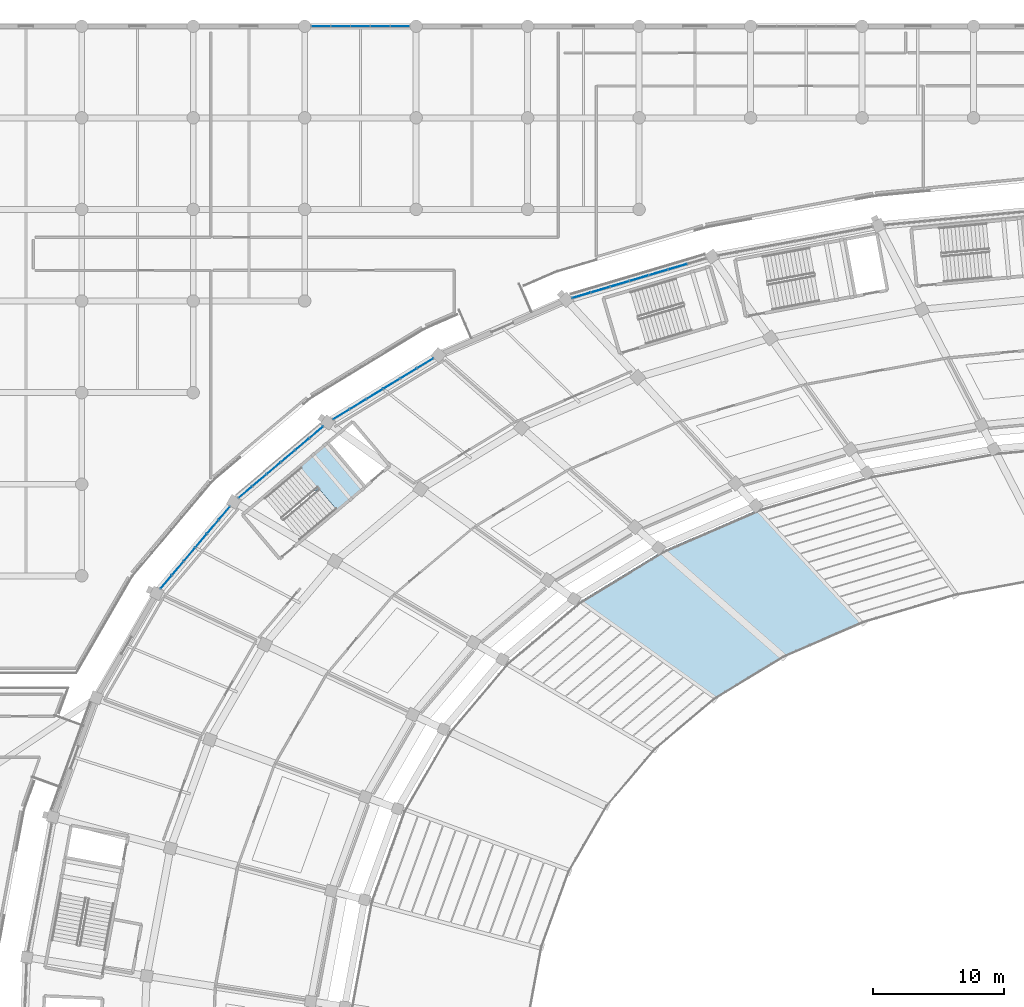
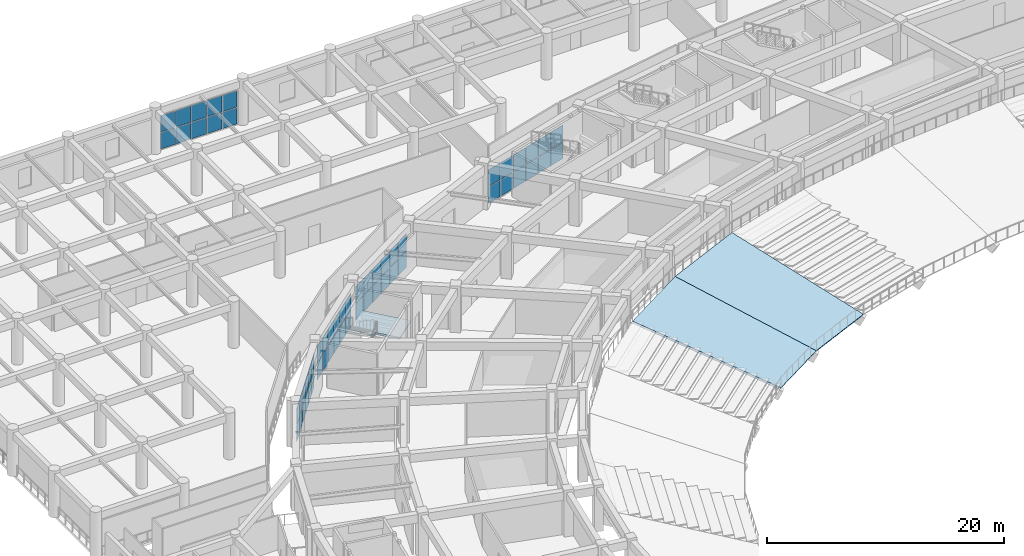
# One storey, part 88 of 152: 58 plates, 3 slabs, 6 elements without a shape of their own.
"""IFC4 building model written with IfcOpenShell, lengths in metres."""

from ifc_helpers import new_model, si_unit, direction, frame, origin, origin_2d, place, context, subcontext, project, spatial, polyline, rectangle, outline, extrude, material, layer, layer_set, type_object, element, aggregate, save


model = new_model("IFC4")

# Units and contexts
model_context = context("Model", 3, precision=1e-05, world=origin(), true_north=direction((0.0, 1.0)))
body_context = subcontext(model_context, "Body", "Model", "MODEL_VIEW")
ifc_project = project(units=[si_unit("LENGTHUNIT", "METRE"), si_unit("AREAUNIT", "SQUARE_METRE"), si_unit("VOLUMEUNIT", "CUBIC_METRE"), si_unit("PLANEANGLEUNIT", "RADIAN"), si_unit("MASSUNIT", "GRAM", prefix="KILO")], contexts=[model_context])

# Site, building, storey
site_placement = place(None, origin())
site = spatial("IfcSite", under=ifc_project, at=site_placement, CompositionType="ELEMENT")
building_placement = place(site_placement, origin())
building = spatial("IfcBuilding", under=site, at=building_placement, Name="Mphavela Belvedere Stadium", CompositionType="ELEMENT")
storey_placement = place(building_placement, frame((0.0, 0.0, 5.39990234375)))
storey = spatial("IfcBuildingStorey", under=building, at=storey_placement, Name="L01", CompositionType="ELEMENT", Elevation=5.39990234375)

# Curtain wall, plates
ifc_material_1 = material(Name="Anodised bronze unitised curtain wall framing")
ifc_layer_1 = layer(ifc_material_1, 0.195068359375)
ifc_layer_set_1 = layer_set([ifc_layer_1], Name="Anodised bronze unitised curtain wall framing")
curtain_wall_type_1 = type_object("IfcCurtainWallType", Name="CW-UNIT-04", PredefinedType="USERDEFINED", material=ifc_layer_set_1)
curtain_wall_1_placement = place(storey_placement, origin())
curtain_wall_1 = element("IfcCurtainWall", 1, at=curtain_wall_1_placement, inside=storey, type_object=curtain_wall_type_1, Name="Belvedere colonnade curtain wall L01-16", ObjectType="UNITISED CURTAIN WALL", PredefinedType="USERDEFINED")
ifc_material_2 = material(Name="Solar-control double glazing", Category="glass")
ifc_layer_2 = layer(ifc_material_2, 0.031982421875)
ifc_layer_set_2 = layer_set([ifc_layer_2], Name="Solar-control double glazing")
plate_type = type_object("IfcPlateType", Name="CWP-SOLAR-GLASS", PredefinedType="CURTAIN_PANEL", material=ifc_layer_set_2)
plate_1_placement = place(storey_placement, frame((62.580810546875, 155.619873046875, 0.06005859375), z_axis=(0.0, 0.0, 1.0), x_axis=(-0.958660876219, -0.28455109279, 0.0)))
plate_1 = element("IfcPlate", 2, at=plate_1_placement, type_object=plate_type, Name="CW-04 panel 2.1", PredefinedType="CURTAIN_PANEL", context=body_context, shape_type="SweptSolid", body=[
    extrude(rectangle(XDim=1.4736328125, YDim=0.031982421875, at=origin_2d()), origin(), (0.0, 0.0, 1.0), 1.695068359375),
])
plate_2_placement = place(storey_placement, frame((62.580810546875, 155.619873046875, 1.81494140625), z_axis=(0.0, 0.0, 1.0), x_axis=(-0.958660876219, -0.28455109279, 0.0)))
plate_2 = element("IfcPlate", 3, at=plate_2_placement, type_object=plate_type, Name="CW-04 panel 2.2", PredefinedType="CURTAIN_PANEL", context=body_context, shape_type="SweptSolid", body=[
    extrude(rectangle(XDim=1.4736328125, YDim=0.031982421875, at=origin_2d()), origin(), (0.0, 0.0, 1.0), 1.695068359375),
])
plate_3_placement = place(storey_placement, frame((61.105712890625, 155.181884765625, 0.06005859375), z_axis=(0.0, 0.0, 1.0), x_axis=(-0.958660876219, -0.28455109279, 0.0)))
plate_3 = element("IfcPlate", 4, at=plate_3_placement, type_object=plate_type, Name="CW-04 panel 3.1", PredefinedType="CURTAIN_PANEL", context=body_context, shape_type="SweptSolid", body=[
    extrude(rectangle(XDim=1.4736328125, YDim=0.031982421875, at=origin_2d()), origin(), (0.0, 0.0, 1.0), 1.695068359375),
])
plate_4_placement = place(storey_placement, frame((61.105712890625, 155.181884765625, 1.81494140625), z_axis=(0.0, 0.0, 1.0), x_axis=(-0.958660876219, -0.28455109279, 0.0)))
plate_4 = element("IfcPlate", 5, at=plate_4_placement, type_object=plate_type, Name="CW-04 panel 3.2", PredefinedType="CURTAIN_PANEL", context=body_context, shape_type="SweptSolid", body=[
    extrude(rectangle(XDim=1.4736328125, YDim=0.031982421875, at=origin_2d()), origin(), (0.0, 0.0, 1.0), 1.695068359375),
])
plate_5_placement = place(storey_placement, frame((59.630615234375, 154.744140625, 0.06005859375), z_axis=(0.0, 0.0, 1.0), x_axis=(-0.958660876219, -0.28455109279, 0.0)))
plate_5 = element("IfcPlate", 6, at=plate_5_placement, type_object=plate_type, Name="CW-04 panel 4.1", PredefinedType="CURTAIN_PANEL", context=body_context, shape_type="SweptSolid", body=[
    extrude(rectangle(XDim=1.4736328125, YDim=0.031982421875, at=origin_2d()), origin(), (0.0, 0.0, 1.0), 1.695068359375),
])
plate_6_placement = place(storey_placement, frame((59.630615234375, 154.744140625, 1.81494140625), z_axis=(0.0, 0.0, 1.0), x_axis=(-0.958660876219, -0.28455109279, 0.0)))
plate_6 = element("IfcPlate", 7, at=plate_6_placement, type_object=plate_type, Name="CW-04 panel 4.2", PredefinedType="CURTAIN_PANEL", context=body_context, shape_type="SweptSolid", body=[
    extrude(rectangle(XDim=1.4736328125, YDim=0.031982421875, at=origin_2d()), origin(), (0.0, 0.0, 1.0), 1.695068359375),
])
plate_7_placement = place(storey_placement, frame((58.155517578125, 154.30615234375, 0.06005859375), z_axis=(0.0, 0.0, 1.0), x_axis=(-0.958660876219, -0.28455109279, 0.0)))
plate_7 = element("IfcPlate", 8, at=plate_7_placement, type_object=plate_type, Name="CW-04 panel 5.1", PredefinedType="CURTAIN_PANEL", context=body_context, shape_type="SweptSolid", body=[
    extrude(rectangle(XDim=1.4736328125, YDim=0.031982421875, at=origin_2d()), origin(), (0.0, 0.0, 1.0), 1.695068359375),
])
plate_8_placement = place(storey_placement, frame((58.155517578125, 154.30615234375, 1.81494140625), z_axis=(0.0, 0.0, 1.0), x_axis=(-0.958660876219, -0.28455109279, 0.0)))
plate_8 = element("IfcPlate", 9, at=plate_8_placement, type_object=plate_type, Name="CW-04 panel 5.2", PredefinedType="CURTAIN_PANEL", context=body_context, shape_type="SweptSolid", body=[
    extrude(rectangle(XDim=1.4736328125, YDim=0.031982421875, at=origin_2d()), origin(), (0.0, 0.0, 1.0), 1.695068359375),
])
plate_9_placement = place(storey_placement, frame((56.680419921875, 153.868408203125, 0.06005859375), z_axis=(0.0, 0.0, 1.0), x_axis=(-0.958660876219, -0.28455109279, 0.0)))
plate_9 = element("IfcPlate", 10, at=plate_9_placement, type_object=plate_type, Name="CW-04 panel 6.1", PredefinedType="CURTAIN_PANEL", context=body_context, shape_type="SweptSolid", body=[
    extrude(rectangle(XDim=1.4736328125, YDim=0.031982421875, at=origin_2d()), origin(), (0.0, 0.0, 1.0), 1.695068359375),
])
plate_10_placement = place(storey_placement, frame((56.680419921875, 153.868408203125, 1.81494140625), z_axis=(0.0, 0.0, 1.0), x_axis=(-0.958660876219, -0.28455109279, 0.0)))
plate_10 = element("IfcPlate", 11, at=plate_10_placement, type_object=plate_type, Name="CW-04 panel 6.2", PredefinedType="CURTAIN_PANEL", context=body_context, shape_type="SweptSolid", body=[
    extrude(rectangle(XDim=1.4736328125, YDim=0.031982421875, at=origin_2d()), origin(), (0.0, 0.0, 1.0), 1.695068359375),
])
plate_11_placement = place(storey_placement, frame((55.220947265625, 153.435302734375, 0.06005859375), z_axis=(0.0, 0.0, 1.0), x_axis=(-0.958660876219, -0.28455109279, 0.0)))
plate_11 = element("IfcPlate", 12, at=plate_11_placement, type_object=plate_type, Name="CW-04 panel 7.1", PredefinedType="CURTAIN_PANEL", context=body_context, shape_type="SweptSolid", body=[
    extrude(rectangle(XDim=1.441162109375, YDim=0.031982421875, at=origin_2d()), origin(), (0.0, 0.0, 1.0), 1.695068359375),
])
plate_12_placement = place(storey_placement, frame((55.220947265625, 153.435302734375, 1.81494140625), z_axis=(0.0, 0.0, 1.0), x_axis=(-0.958660876219, -0.28455109279, 0.0)))
plate_12 = element("IfcPlate", 13, at=plate_12_placement, type_object=plate_type, Name="CW-04 panel 7.2", PredefinedType="CURTAIN_PANEL", context=body_context, shape_type="SweptSolid", body=[
    extrude(rectangle(XDim=1.441162109375, YDim=0.031982421875, at=origin_2d()), origin(), (0.0, 0.0, 1.0), 1.695068359375),
])
aggregate(curtain_wall_1, [plate_1, plate_2, plate_3, plate_4, plate_5, plate_6, plate_7, plate_8, plate_9, plate_10, plate_11, plate_12])

ifc_material_3 = material(Name="Anodised bronze unitised curtain wall framing")
ifc_layer_3 = layer(ifc_material_3, 0.199951171875)
ifc_layer_set_3 = layer_set([ifc_layer_3], Name="Anodised bronze unitised curtain wall framing")
curtain_wall_type_2 = type_object("IfcCurtainWallType", Name="CW-UNIT-05", PredefinedType="USERDEFINED", material=ifc_layer_set_3)
curtain_wall_2_placement = place(storey_placement, origin())
curtain_wall_2 = element("IfcCurtainWall", 14, at=curtain_wall_2_placement, inside=storey, type_object=curtain_wall_type_2, Name="Belvedere colonnade curtain wall L01-18", ObjectType="UNITISED CURTAIN WALL", PredefinedType="USERDEFINED")
plate_13_placement = place(storey_placement, frame((43.28369140625, 148.240234375, 0.06005859375), z_axis=(0.0, 0.0, 1.0), x_axis=(-0.8543277514, -0.51973463728, 0.0)))
plate_13 = element("IfcPlate", 15, at=plate_13_placement, type_object=plate_type, Name="CW-05 panel 1.1", PredefinedType="CURTAIN_PANEL", context=body_context, shape_type="SweptSolid", body=[
    extrude(rectangle(XDim=1.411865234375, YDim=0.031982421875, at=origin_2d()), origin(), (0.0, 0.0, 1.0), 1.695068359375),
])
plate_14_placement = place(storey_placement, frame((43.28369140625, 148.240234375, 1.81494140625), z_axis=(0.0, 0.0, 1.0), x_axis=(-0.8543277514, -0.51973463728, 0.0)))
plate_14 = element("IfcPlate", 16, at=plate_14_placement, type_object=plate_type, Name="CW-05 panel 1.2", PredefinedType="CURTAIN_PANEL", context=body_context, shape_type="SweptSolid", body=[
    extrude(rectangle(XDim=1.411865234375, YDim=0.031982421875, at=origin_2d()), origin(), (0.0, 0.0, 1.0), 1.695068359375),
])
plate_15_placement = place(storey_placement, frame((42.00830078125, 147.46435546875, 0.06005859375), z_axis=(0.0, 0.0, 1.0), x_axis=(-0.8543277514, -0.51973463728, 0.0)))
plate_15 = element("IfcPlate", 17, at=plate_15_placement, type_object=plate_type, Name="CW-05 panel 2.1", PredefinedType="CURTAIN_PANEL", context=body_context, shape_type="SweptSolid", body=[
    extrude(rectangle(XDim=1.4443359375, YDim=0.031982421875, at=origin_2d()), origin(), (0.0, 0.0, 1.0), 1.695068359375),
])
plate_16_placement = place(storey_placement, frame((42.00830078125, 147.46435546875, 1.81494140625), z_axis=(0.0, 0.0, 1.0), x_axis=(-0.8543277514, -0.51973463728, 0.0)))
plate_16 = element("IfcPlate", 18, at=plate_16_placement, type_object=plate_type, Name="CW-05 panel 2.2", PredefinedType="CURTAIN_PANEL", context=body_context, shape_type="SweptSolid", body=[
    extrude(rectangle(XDim=1.4443359375, YDim=0.031982421875, at=origin_2d()), origin(), (0.0, 0.0, 1.0), 1.695068359375),
])
plate_17_placement = place(storey_placement, frame((40.71875, 146.679931640625, 0.06005859375), z_axis=(0.0, 0.0, 1.0), x_axis=(-0.8543277514, -0.51973463728, 0.0)))
plate_17 = element("IfcPlate", 19, at=plate_17_placement, type_object=plate_type, Name="CW-05 panel 3.1", PredefinedType="CURTAIN_PANEL", context=body_context, shape_type="SweptSolid", body=[
    extrude(rectangle(XDim=1.4443359375, YDim=0.031982421875, at=origin_2d()), origin(), (0.0, 0.0, 1.0), 1.695068359375),
])
plate_18_placement = place(storey_placement, frame((40.71875, 146.679931640625, 1.81494140625), z_axis=(0.0, 0.0, 1.0), x_axis=(-0.8543277514, -0.51973463728, 0.0)))
plate_18 = element("IfcPlate", 20, at=plate_18_placement, type_object=plate_type, Name="CW-05 panel 3.2", PredefinedType="CURTAIN_PANEL", context=body_context, shape_type="SweptSolid", body=[
    extrude(rectangle(XDim=1.4443359375, YDim=0.031982421875, at=origin_2d()), origin(), (0.0, 0.0, 1.0), 1.695068359375),
])
plate_19_placement = place(storey_placement, frame((39.429443359375, 145.8955078125, 0.06005859375), z_axis=(0.0, 0.0, 1.0), x_axis=(-0.8543277514, -0.51973463728, 0.0)))
plate_19 = element("IfcPlate", 21, at=plate_19_placement, type_object=plate_type, Name="CW-05 panel 4.1", PredefinedType="CURTAIN_PANEL", context=body_context, shape_type="SweptSolid", body=[
    extrude(rectangle(XDim=1.4443359375, YDim=0.031982421875, at=origin_2d()), origin(), (0.0, 0.0, 1.0), 1.695068359375),
])
plate_20_placement = place(storey_placement, frame((39.429443359375, 145.8955078125, 1.81494140625), z_axis=(0.0, 0.0, 1.0), x_axis=(-0.8543277514, -0.51973463728, 0.0)))
plate_20 = element("IfcPlate", 22, at=plate_20_placement, type_object=plate_type, Name="CW-05 panel 4.2", PredefinedType="CURTAIN_PANEL", context=body_context, shape_type="SweptSolid", body=[
    extrude(rectangle(XDim=1.4443359375, YDim=0.031982421875, at=origin_2d()), origin(), (0.0, 0.0, 1.0), 1.695068359375),
])
plate_21_placement = place(storey_placement, frame((38.139892578125, 145.111083984375, 0.06005859375), z_axis=(0.0, 0.0, 1.0), x_axis=(-0.8543277514, -0.51973463728, 0.0)))
plate_21 = element("IfcPlate", 23, at=plate_21_placement, type_object=plate_type, Name="CW-05 panel 5.1", PredefinedType="CURTAIN_PANEL", context=body_context, shape_type="SweptSolid", body=[
    extrude(rectangle(XDim=1.4443359375, YDim=0.031982421875, at=origin_2d()), origin(), (0.0, 0.0, 1.0), 1.695068359375),
])
plate_22_placement = place(storey_placement, frame((38.139892578125, 145.111083984375, 1.81494140625), z_axis=(0.0, 0.0, 1.0), x_axis=(-0.8543277514, -0.51973463728, 0.0)))
plate_22 = element("IfcPlate", 24, at=plate_22_placement, type_object=plate_type, Name="CW-05 panel 5.2", PredefinedType="CURTAIN_PANEL", context=body_context, shape_type="SweptSolid", body=[
    extrude(rectangle(XDim=1.4443359375, YDim=0.031982421875, at=origin_2d()), origin(), (0.0, 0.0, 1.0), 1.695068359375),
])
plate_23_placement = place(storey_placement, frame((36.864501953125, 144.3349609375, 0.06005859375), z_axis=(0.0, 0.0, 1.0), x_axis=(-0.8543277514, -0.51973463728, 0.0)))
plate_23 = element("IfcPlate", 25, at=plate_23_placement, type_object=plate_type, Name="CW-05 panel 6.1", PredefinedType="CURTAIN_PANEL", context=body_context, shape_type="SweptSolid", body=[
    extrude(rectangle(XDim=1.411865234375, YDim=0.031982421875, at=origin_2d()), origin(), (0.0, 0.0, 1.0), 1.695068359375),
])
plate_24_placement = place(storey_placement, frame((36.864501953125, 144.3349609375, 1.81494140625), z_axis=(0.0, 0.0, 1.0), x_axis=(-0.8543277514, -0.51973463728, 0.0)))
plate_24 = element("IfcPlate", 26, at=plate_24_placement, type_object=plate_type, Name="CW-05 panel 6.2", PredefinedType="CURTAIN_PANEL", context=body_context, shape_type="SweptSolid", body=[
    extrude(rectangle(XDim=1.411865234375, YDim=0.031982421875, at=origin_2d()), origin(), (0.0, 0.0, 1.0), 1.695068359375),
])
aggregate(curtain_wall_2, [plate_13, plate_14, plate_15, plate_16, plate_17, plate_18, plate_19, plate_20, plate_21, plate_22, plate_23, plate_24])

ifc_material_4 = material(Name="Anodised bronze unitised curtain wall framing")
ifc_layer_4 = layer(ifc_material_4, 0.205078125)
ifc_layer_set_4 = layer_set([ifc_layer_4], Name="Anodised bronze unitised curtain wall framing")
curtain_wall_type_3 = type_object("IfcCurtainWallType", Name="CW-UNIT-06", PredefinedType="USERDEFINED", material=ifc_layer_set_4)
curtain_wall_3_placement = place(storey_placement, origin())
curtain_wall_3 = element("IfcCurtainWall", 27, at=curtain_wall_3_placement, inside=storey, type_object=curtain_wall_type_3, Name="Belvedere colonnade curtain wall L01-19", ObjectType="UNITISED CURTAIN WALL", PredefinedType="USERDEFINED")
plate_25_placement = place(storey_placement, frame((34.964111328125, 142.9716796875, 0.06005859375), z_axis=(0.0, 0.0, 1.0), x_axis=(-0.76425888519, -0.644909572272, 0.0)))
plate_25 = element("IfcPlate", 28, at=plate_25_placement, type_object=plate_type, Name="CW-06 panel 1.1", PredefinedType="CURTAIN_PANEL", context=body_context, shape_type="SweptSolid", body=[
    extrude(rectangle(XDim=1.327880859375, YDim=0.031982421875, at=origin_2d()), origin(), (0.0, 0.0, 1.0), 1.695068359375),
])
plate_26_placement = place(storey_placement, frame((34.964111328125, 142.9716796875, 1.81494140625), z_axis=(0.0, 0.0, 1.0), x_axis=(-0.76425888519, -0.644909572272, 0.0)))
plate_26 = element("IfcPlate", 29, at=plate_26_placement, type_object=plate_type, Name="CW-06 panel 1.2", PredefinedType="CURTAIN_PANEL", context=body_context, shape_type="SweptSolid", body=[
    extrude(rectangle(XDim=1.327880859375, YDim=0.031982421875, at=origin_2d()), origin(), (0.0, 0.0, 1.0), 1.695068359375),
])
plate_27_placement = place(storey_placement, frame((33.886962890625, 142.062744140625, 0.06005859375), z_axis=(0.0, 0.0, 1.0), x_axis=(-0.76425888519, -0.644909572272, 0.0)))
plate_27 = element("IfcPlate", 30, at=plate_27_placement, type_object=plate_type, Name="CW-06 panel 2.1", PredefinedType="CURTAIN_PANEL", context=body_context, shape_type="SweptSolid", body=[
    extrude(rectangle(XDim=1.3603515625, YDim=0.031982421875, at=origin_2d()), origin(), (0.0, 0.0, 1.0), 1.695068359375),
])
plate_28_placement = place(storey_placement, frame((33.886962890625, 142.062744140625, 1.81494140625), z_axis=(0.0, 0.0, 1.0), x_axis=(-0.76425888519, -0.644909572272, 0.0)))
plate_28 = element("IfcPlate", 31, at=plate_28_placement, type_object=plate_type, Name="CW-06 panel 2.2", PredefinedType="CURTAIN_PANEL", context=body_context, shape_type="SweptSolid", body=[
    extrude(rectangle(XDim=1.3603515625, YDim=0.031982421875, at=origin_2d()), origin(), (0.0, 0.0, 1.0), 1.695068359375),
])
plate_29_placement = place(storey_placement, frame((32.797607421875, 141.1435546875, 0.06005859375), z_axis=(0.0, 0.0, 1.0), x_axis=(-0.76425888519, -0.644909572272, 0.0)))
plate_29 = element("IfcPlate", 32, at=plate_29_placement, type_object=plate_type, Name="CW-06 panel 3.1", PredefinedType="CURTAIN_PANEL", context=body_context, shape_type="SweptSolid", body=[
    extrude(rectangle(XDim=1.3603515625, YDim=0.031982421875, at=origin_2d()), origin(), (0.0, 0.0, 1.0), 1.695068359375),
])
plate_30_placement = place(storey_placement, frame((32.797607421875, 141.1435546875, 1.81494140625), z_axis=(0.0, 0.0, 1.0), x_axis=(-0.76425888519, -0.644909572272, 0.0)))
plate_30 = element("IfcPlate", 33, at=plate_30_placement, type_object=plate_type, Name="CW-06 panel 3.2", PredefinedType="CURTAIN_PANEL", context=body_context, shape_type="SweptSolid", body=[
    extrude(rectangle(XDim=1.3603515625, YDim=0.031982421875, at=origin_2d()), origin(), (0.0, 0.0, 1.0), 1.695068359375),
])
plate_31_placement = place(storey_placement, frame((31.70849609375, 140.224365234375, 0.06005859375), z_axis=(0.0, 0.0, 1.0), x_axis=(-0.76425888519, -0.644909572272, 0.0)))
plate_31 = element("IfcPlate", 34, at=plate_31_placement, type_object=plate_type, Name="CW-06 panel 4.1", PredefinedType="CURTAIN_PANEL", context=body_context, shape_type="SweptSolid", body=[
    extrude(rectangle(XDim=1.3603515625, YDim=0.031982421875, at=origin_2d()), origin(), (0.0, 0.0, 1.0), 1.695068359375),
])
plate_32_placement = place(storey_placement, frame((31.70849609375, 140.224365234375, 1.81494140625), z_axis=(0.0, 0.0, 1.0), x_axis=(-0.76425888519, -0.644909572272, 0.0)))
plate_32 = element("IfcPlate", 35, at=plate_32_placement, type_object=plate_type, Name="CW-06 panel 4.2", PredefinedType="CURTAIN_PANEL", context=body_context, shape_type="SweptSolid", body=[
    extrude(rectangle(XDim=1.3603515625, YDim=0.031982421875, at=origin_2d()), origin(), (0.0, 0.0, 1.0), 1.695068359375),
])
plate_33_placement = place(storey_placement, frame((30.619140625, 139.30517578125, 0.06005859375), z_axis=(0.0, 0.0, 1.0), x_axis=(-0.76425888519, -0.644909572272, 0.0)))
plate_33 = element("IfcPlate", 36, at=plate_33_placement, type_object=plate_type, Name="CW-06 panel 5.1", PredefinedType="CURTAIN_PANEL", context=body_context, shape_type="SweptSolid", body=[
    extrude(rectangle(XDim=1.3603515625, YDim=0.031982421875, at=origin_2d()), origin(), (0.0, 0.0, 1.0), 1.695068359375),
])
plate_34_placement = place(storey_placement, frame((30.619140625, 139.30517578125, 1.81494140625), z_axis=(0.0, 0.0, 1.0), x_axis=(-0.76425888519, -0.644909572272, 0.0)))
plate_34 = element("IfcPlate", 37, at=plate_34_placement, type_object=plate_type, Name="CW-06 panel 5.2", PredefinedType="CURTAIN_PANEL", context=body_context, shape_type="SweptSolid", body=[
    extrude(rectangle(XDim=1.3603515625, YDim=0.031982421875, at=origin_2d()), origin(), (0.0, 0.0, 1.0), 1.695068359375),
])
plate_35_placement = place(storey_placement, frame((29.5419921875, 138.396484375, 0.06005859375), z_axis=(0.0, 0.0, 1.0), x_axis=(-0.76425888519, -0.644909572272, 0.0)))
plate_35 = element("IfcPlate", 38, at=plate_35_placement, type_object=plate_type, Name="CW-06 panel 6.1", PredefinedType="CURTAIN_PANEL", context=body_context, shape_type="SweptSolid", body=[
    extrude(rectangle(XDim=1.327880859375, YDim=0.031982421875, at=origin_2d()), origin(), (0.0, 0.0, 1.0), 1.695068359375),
])
plate_36_placement = place(storey_placement, frame((29.5419921875, 138.396484375, 1.81494140625), z_axis=(0.0, 0.0, 1.0), x_axis=(-0.76425888519, -0.644909572272, 0.0)))
plate_36 = element("IfcPlate", 39, at=plate_36_placement, type_object=plate_type, Name="CW-06 panel 6.2", PredefinedType="CURTAIN_PANEL", context=body_context, shape_type="SweptSolid", body=[
    extrude(rectangle(XDim=1.327880859375, YDim=0.031982421875, at=origin_2d()), origin(), (0.0, 0.0, 1.0), 1.695068359375),
])
aggregate(curtain_wall_3, [plate_25, plate_26, plate_27, plate_28, plate_29, plate_30, plate_31, plate_32, plate_33, plate_34, plate_35, plate_36])

ifc_material_5 = material(Name="Anodised bronze unitised curtain wall framing")
ifc_layer_5 = layer(ifc_material_5, 0.179931640625)
ifc_layer_set_5 = layer_set([ifc_layer_5], Name="Anodised bronze unitised curtain wall framing")
curtain_wall_type_4 = type_object("IfcCurtainWallType", Name="CW-UNIT-01", PredefinedType="USERDEFINED", material=ifc_layer_set_5)
curtain_wall_4_placement = place(storey_placement, origin())
curtain_wall_4 = element("IfcCurtainWall", 40, at=curtain_wall_4_placement, inside=storey, type_object=curtain_wall_type_4, Name="Belvedere colonnade curtain wall L01-20", ObjectType="UNITISED CURTAIN WALL", PredefinedType="USERDEFINED")
plate_37_placement = place(storey_placement, frame((27.931884765625, 136.7890625, 0.06005859375), z_axis=(0.0, 0.0, 1.0), x_axis=(-0.645173320737, -0.764036246659, 0.0)))
plate_37 = element("IfcPlate", 41, at=plate_37_placement, type_object=plate_type, Name="CW-01 panel 1.1", PredefinedType="CURTAIN_PANEL", context=body_context, shape_type="SweptSolid", body=[
    extrude(rectangle(XDim=1.28662109375, YDim=0.031982421875, at=origin_2d()), origin(), (0.0, 0.0, 1.0), 1.695068359375),
])
plate_38_placement = place(storey_placement, frame((27.931884765625, 136.7890625, 1.81494140625), z_axis=(0.0, 0.0, 1.0), x_axis=(-0.645173320737, -0.764036246659, 0.0)))
plate_38 = element("IfcPlate", 42, at=plate_38_placement, type_object=plate_type, Name="CW-01 panel 1.2", PredefinedType="CURTAIN_PANEL", context=body_context, shape_type="SweptSolid", body=[
    extrude(rectangle(XDim=1.28662109375, YDim=0.031982421875, at=origin_2d()), origin(), (0.0, 0.0, 1.0), 1.695068359375),
])
plate_39_placement = place(storey_placement, frame((27.04931640625, 135.743896484375, 0.06005859375), z_axis=(0.0, 0.0, 1.0), x_axis=(-0.645173320737, -0.764036246659, 0.0)))
plate_39 = element("IfcPlate", 43, at=plate_39_placement, type_object=plate_type, Name="CW-01 panel 2.1", PredefinedType="CURTAIN_PANEL", context=body_context, shape_type="SweptSolid", body=[
    extrude(rectangle(XDim=1.3193359375, YDim=0.031982421875, at=origin_2d()), origin(), (0.0, 0.0, 1.0), 1.695068359375),
])
plate_40_placement = place(storey_placement, frame((27.04931640625, 135.743896484375, 1.81494140625), z_axis=(0.0, 0.0, 1.0), x_axis=(-0.645173320737, -0.764036246659, 0.0)))
plate_40 = element("IfcPlate", 44, at=plate_40_placement, type_object=plate_type, Name="CW-01 panel 2.2", PredefinedType="CURTAIN_PANEL", context=body_context, shape_type="SweptSolid", body=[
    extrude(rectangle(XDim=1.3193359375, YDim=0.031982421875, at=origin_2d()), origin(), (0.0, 0.0, 1.0), 1.695068359375),
])
plate_41_placement = place(storey_placement, frame((26.15625, 134.686279296875, 0.06005859375), z_axis=(0.0, 0.0, 1.0), x_axis=(-0.645173320737, -0.764036246659, 0.0)))
plate_41 = element("IfcPlate", 45, at=plate_41_placement, type_object=plate_type, Name="CW-01 panel 3.1", PredefinedType="CURTAIN_PANEL", context=body_context, shape_type="SweptSolid", body=[
    extrude(rectangle(XDim=1.3193359375, YDim=0.031982421875, at=origin_2d()), origin(), (0.0, 0.0, 1.0), 1.695068359375),
])
plate_42_placement = place(storey_placement, frame((26.15625, 134.686279296875, 1.81494140625), z_axis=(0.0, 0.0, 1.0), x_axis=(-0.645173320737, -0.764036246659, 0.0)))
plate_42 = element("IfcPlate", 46, at=plate_42_placement, type_object=plate_type, Name="CW-01 panel 3.2", PredefinedType="CURTAIN_PANEL", context=body_context, shape_type="SweptSolid", body=[
    extrude(rectangle(XDim=1.3193359375, YDim=0.031982421875, at=origin_2d()), origin(), (0.0, 0.0, 1.0), 1.695068359375),
])
plate_43_placement = place(storey_placement, frame((25.26318359375, 133.628662109375, 0.06005859375), z_axis=(0.0, 0.0, 1.0), x_axis=(-0.645173320737, -0.764036246659, 0.0)))
plate_43 = element("IfcPlate", 47, at=plate_43_placement, type_object=plate_type, Name="CW-01 panel 4.1", PredefinedType="CURTAIN_PANEL", context=body_context, shape_type="SweptSolid", body=[
    extrude(rectangle(XDim=1.3193359375, YDim=0.031982421875, at=origin_2d()), origin(), (0.0, 0.0, 1.0), 1.695068359375),
])
plate_44_placement = place(storey_placement, frame((25.26318359375, 133.628662109375, 1.81494140625), z_axis=(0.0, 0.0, 1.0), x_axis=(-0.645173320737, -0.764036246659, 0.0)))
plate_44 = element("IfcPlate", 48, at=plate_44_placement, type_object=plate_type, Name="CW-01 panel 4.2", PredefinedType="CURTAIN_PANEL", context=body_context, shape_type="SweptSolid", body=[
    extrude(rectangle(XDim=1.3193359375, YDim=0.031982421875, at=origin_2d()), origin(), (0.0, 0.0, 1.0), 1.695068359375),
])
plate_45_placement = place(storey_placement, frame((24.3701171875, 132.571044921875, 0.06005859375), z_axis=(0.0, 0.0, 1.0), x_axis=(-0.645173320737, -0.764036246659, 0.0)))
plate_45 = element("IfcPlate", 49, at=plate_45_placement, type_object=plate_type, Name="CW-01 panel 5.1", PredefinedType="CURTAIN_PANEL", context=body_context, shape_type="SweptSolid", body=[
    extrude(rectangle(XDim=1.3193359375, YDim=0.031982421875, at=origin_2d()), origin(), (0.0, 0.0, 1.0), 1.695068359375),
])
plate_46_placement = place(storey_placement, frame((24.3701171875, 132.571044921875, 1.81494140625), z_axis=(0.0, 0.0, 1.0), x_axis=(-0.645173320737, -0.764036246659, 0.0)))
plate_46 = element("IfcPlate", 50, at=plate_46_placement, type_object=plate_type, Name="CW-01 panel 5.2", PredefinedType="CURTAIN_PANEL", context=body_context, shape_type="SweptSolid", body=[
    extrude(rectangle(XDim=1.3193359375, YDim=0.031982421875, at=origin_2d()), origin(), (0.0, 0.0, 1.0), 1.695068359375),
])
plate_47_placement = place(storey_placement, frame((23.4873046875, 131.52587890625, 0.06005859375), z_axis=(0.0, 0.0, 1.0), x_axis=(-0.645173320737, -0.764036246659, 0.0)))
plate_47 = element("IfcPlate", 51, at=plate_47_placement, type_object=plate_type, Name="CW-01 panel 6.1", PredefinedType="CURTAIN_PANEL", context=body_context, shape_type="SweptSolid", body=[
    extrude(rectangle(XDim=1.28662109375, YDim=0.031982421875, at=origin_2d()), origin(), (0.0, 0.0, 1.0), 1.695068359375),
])
plate_48_placement = place(storey_placement, frame((23.4873046875, 131.52587890625, 1.81494140625), z_axis=(0.0, 0.0, 1.0), x_axis=(-0.645173320737, -0.764036246659, 0.0)))
plate_48 = element("IfcPlate", 52, at=plate_48_placement, type_object=plate_type, Name="CW-01 panel 6.2", PredefinedType="CURTAIN_PANEL", context=body_context, shape_type="SweptSolid", body=[
    extrude(rectangle(XDim=1.28662109375, YDim=0.031982421875, at=origin_2d()), origin(), (0.0, 0.0, 1.0), 1.695068359375),
])
aggregate(curtain_wall_4, [plate_37, plate_38, plate_39, plate_40, plate_41, plate_42, plate_43, plate_44, plate_45, plate_46, plate_47, plate_48])

curtain_wall_5_placement = place(storey_placement, origin())
curtain_wall_5 = element("IfcCurtainWall", 53, at=curtain_wall_5_placement, inside=storey, type_object=curtain_wall_type_4, Name="North Mast and Ceremonial End Forecourt gallery curtain wall L01-05", ObjectType="UNITISED CURTAIN WALL", PredefinedType="USERDEFINED")
plate_49_placement = place(storey_placement, frame((35.320556640625, 174.0, 0.06005859375), z_axis=(0.0, 0.0, 1.0), x_axis=(1.0, 0.0, 0.0)))
plate_49 = element("IfcPlate", 54, at=plate_49_placement, type_object=plate_type, Name="CW-01 panel 1.1", PredefinedType="CURTAIN_PANEL", context=body_context, shape_type="SweptSolid", body=[
    extrude(rectangle(XDim=1.4169921875, YDim=0.031982421875, at=origin_2d()), origin(), (0.0, 0.0, 1.0), 1.68994140625),
])
plate_50_placement = place(storey_placement, frame((35.320556640625, 174.0, 1.81005859375), z_axis=(0.0, 0.0, 1.0), x_axis=(1.0, 0.0, 0.0)))
plate_50 = element("IfcPlate", 55, at=plate_50_placement, type_object=plate_type, Name="CW-01 panel 1.2", PredefinedType="CURTAIN_PANEL", context=body_context, shape_type="SweptSolid", body=[
    extrude(rectangle(XDim=1.4169921875, YDim=0.031982421875, at=origin_2d()), origin(), (0.0, 0.0, 1.0), 1.68994140625),
])
plate_51_placement = place(storey_placement, frame((36.81884765625, 174.0, 0.06005859375), z_axis=(0.0, 0.0, 1.0), x_axis=(1.0, 0.0, 0.0)))
plate_51 = element("IfcPlate", 56, at=plate_51_placement, type_object=plate_type, Name="CW-01 panel 2.1", PredefinedType="CURTAIN_PANEL", context=body_context, shape_type="SweptSolid", body=[
    extrude(rectangle(XDim=1.44970703125, YDim=0.031982421875, at=origin_2d()), origin(), (0.0, 0.0, 1.0), 1.68994140625),
])
plate_52_placement = place(storey_placement, frame((36.81884765625, 174.0, 1.81005859375), z_axis=(0.0, 0.0, 1.0), x_axis=(1.0, 0.0, 0.0)))
plate_52 = element("IfcPlate", 57, at=plate_52_placement, type_object=plate_type, Name="CW-01 panel 2.2", PredefinedType="CURTAIN_PANEL", context=body_context, shape_type="SweptSolid", body=[
    extrude(rectangle(XDim=1.44970703125, YDim=0.031982421875, at=origin_2d()), origin(), (0.0, 0.0, 1.0), 1.68994140625),
])
plate_53_placement = place(storey_placement, frame((38.33349609375, 174.0, 0.06005859375), z_axis=(0.0, 0.0, 1.0), x_axis=(1.0, 0.0, 0.0)))
plate_53 = element("IfcPlate", 58, at=plate_53_placement, type_object=plate_type, Name="CW-01 panel 3.1", PredefinedType="CURTAIN_PANEL", context=body_context, shape_type="SweptSolid", body=[
    extrude(rectangle(XDim=1.44970703125, YDim=0.031982421875, at=origin_2d()), origin(), (0.0, 0.0, 1.0), 1.68994140625),
])
plate_54_placement = place(storey_placement, frame((38.33349609375, 174.0, 1.81005859375), z_axis=(0.0, 0.0, 1.0), x_axis=(1.0, 0.0, 0.0)))
plate_54 = element("IfcPlate", 59, at=plate_54_placement, type_object=plate_type, Name="CW-01 panel 3.2", PredefinedType="CURTAIN_PANEL", context=body_context, shape_type="SweptSolid", body=[
    extrude(rectangle(XDim=1.44970703125, YDim=0.031982421875, at=origin_2d()), origin(), (0.0, 0.0, 1.0), 1.68994140625),
])
plate_55_placement = place(storey_placement, frame((39.84814453125, 174.0, 0.06005859375), z_axis=(0.0, 0.0, 1.0), x_axis=(1.0, 0.0, 0.0)))
plate_55 = element("IfcPlate", 60, at=plate_55_placement, type_object=plate_type, Name="CW-01 panel 4.1", PredefinedType="CURTAIN_PANEL", context=body_context, shape_type="SweptSolid", body=[
    extrude(rectangle(XDim=1.44970703125, YDim=0.031982421875, at=origin_2d()), origin(), (0.0, 0.0, 1.0), 1.68994140625),
])
plate_56_placement = place(storey_placement, frame((39.84814453125, 174.0, 1.81005859375), z_axis=(0.0, 0.0, 1.0), x_axis=(1.0, 0.0, 0.0)))
plate_56 = element("IfcPlate", 61, at=plate_56_placement, type_object=plate_type, Name="CW-01 panel 4.2", PredefinedType="CURTAIN_PANEL", context=body_context, shape_type="SweptSolid", body=[
    extrude(rectangle(XDim=1.44970703125, YDim=0.031982421875, at=origin_2d()), origin(), (0.0, 0.0, 1.0), 1.68994140625),
])
plate_57_placement = place(storey_placement, frame((41.346435546875, 174.0, 0.06005859375), z_axis=(0.0, 0.0, 1.0), x_axis=(1.0, 0.0, 0.0)))
plate_57 = element("IfcPlate", 62, at=plate_57_placement, type_object=plate_type, Name="CW-01 panel 5.1", PredefinedType="CURTAIN_PANEL", context=body_context, shape_type="SweptSolid", body=[
    extrude(rectangle(XDim=1.4169921875, YDim=0.031982421875, at=origin_2d()), origin(), (0.0, 0.0, 1.0), 1.68994140625),
])
plate_58_placement = place(storey_placement, frame((41.346435546875, 174.0, 1.81005859375), z_axis=(0.0, 0.0, 1.0), x_axis=(1.0, 0.0, 0.0)))
plate_58 = element("IfcPlate", 63, at=plate_58_placement, type_object=plate_type, Name="CW-01 panel 5.2", PredefinedType="CURTAIN_PANEL", context=body_context, shape_type="SweptSolid", body=[
    extrude(rectangle(XDim=1.4169921875, YDim=0.031982421875, at=origin_2d()), origin(), (0.0, 0.0, 1.0), 1.68994140625),
])
aggregate(curtain_wall_5, [plate_49, plate_50, plate_51, plate_52, plate_53, plate_54, plate_55, plate_56, plate_57, plate_58])

# Stair, slab
ifc_material_6 = material(Name="Concrete C40/50", Category="concrete")
stair_type = type_object("IfcStairType", Name="STR-HALF-TURN-2", PredefinedType="HALF_TURN_STAIR", material=ifc_material_6)
stair_placement = place(storey_placement, origin())
stair = element("IfcStair", 64, at=stair_placement, inside=storey, type_object=stair_type, Name="L01 Escape stair core C05", PredefinedType="HALF_TURN_STAIR")
ifc_material_7 = material(Name="Concrete C40/50", Category="concrete")
ifc_layer_6 = layer(ifc_material_7, 0.199951171875)
ifc_layer_set_6 = layer_set([ifc_layer_6], Name="Concrete C40/50")
slab_type_1 = type_object("IfcSlabType", Name="SLB-LANDING-200", PredefinedType="LANDING", material=ifc_layer_set_6)
slab_1_placement = place(storey_placement, frame((0.0, 0.0, 2.2001953125)))
slab_1 = element("IfcSlab", 65, at=slab_1_placement, type_object=slab_type_1, Name="ST-C05 landing 1", PredefinedType="LANDING", context=body_context, shape_type="SweptSolid", body=[
    extrude(outline(polyline([(36.562744140625, 136.99560546875), (38.611572265625, 138.724609375), (35.754638671875, 142.1103515625), (33.434326171875, 140.15234375), (34.86279296875, 138.45947265625), (35.13427734375, 138.6884765625), (36.562744140625, 136.99560546875)])), origin(), (0.0, 0.0, 1.0), 0.199951171875),
])
aggregate(stair, [slab_1])

# Slabs
ifc_material_8 = material(Name="Precast concrete C45/55", Category="concrete")
ifc_layer_7 = layer(ifc_material_8, 0.25)
ifc_layer_set_7 = layer_set([ifc_layer_7], Name="Precast concrete C45/55")
slab_type_2 = type_object("IfcSlabType", Name="SLB-TIER-LOWER", PredefinedType="USERDEFINED", material=ifc_layer_set_7)
slab_2_placement = place(storey_placement, frame((76.770263671875, 128.462890625, -4.099853515625), z_axis=(0.190858804595, -0.440280540142, 0.877340277589), x_axis=(-0.91750490385, -0.397724466678, 4.041924e-06)))
element("IfcSlab", 66, at=slab_2_placement, inside=storey, type_object=slab_type_2, Name="Lower seating tier slab L01-17", ObjectType="SEATING TIER", PredefinedType="USERDEFINED", context=body_context, shape_type="SweptSolid", body=[
    extrude(outline(polyline([(0.0, 0.0), (6.672514141049851, 4.440892098500626e-16), (11.876116931832101, -12.503318326292444), (3.8289120831041705, -12.503442310151001), (0.0, 0.0)])), origin(), (0.0, 0.0, -1.0), 0.25),
])
slab_3_placement = place(storey_placement, frame((70.648193359375, 125.80908203125, -4.099853515625), z_axis=(0.23911763822, -0.393043368177, 0.887884939519), x_axis=(-0.85431823944, -0.519750272492, -2.070097e-06)))
element("IfcSlab", 67, at=slab_3_placement, inside=storey, type_object=slab_type_2, Name="Lower seating tier slab L01-18", ObjectType="SEATING TIER", PredefinedType="USERDEFINED", context=body_context, shape_type="SweptSolid", body=[
    extrude(outline(polyline([(0.0, 0.0), (6.212125791664506, 0.0), (11.142379319374818, -13.041669230417568), (3.650605866948243, -13.041607568769109), (0.0, 0.0)])), origin(), (0.0, 0.0, -1.0), 0.25),
])

save(model, "model.ifc")
